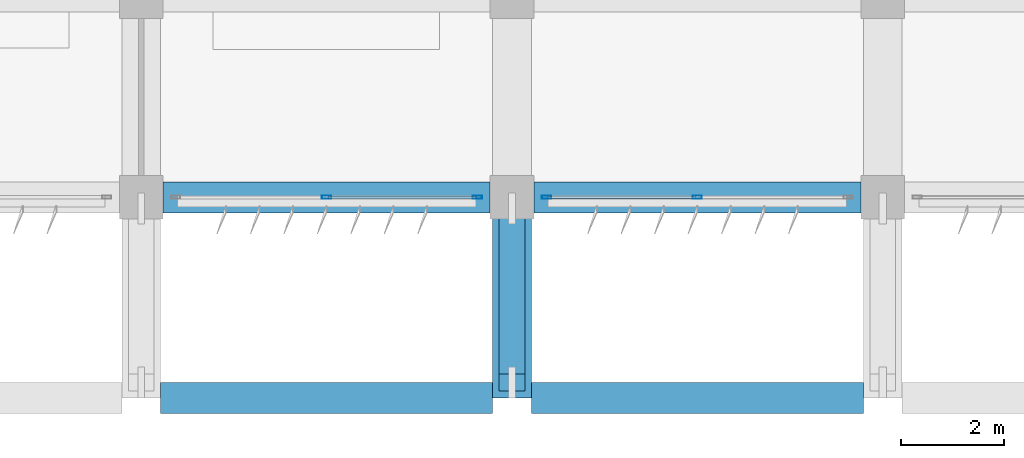
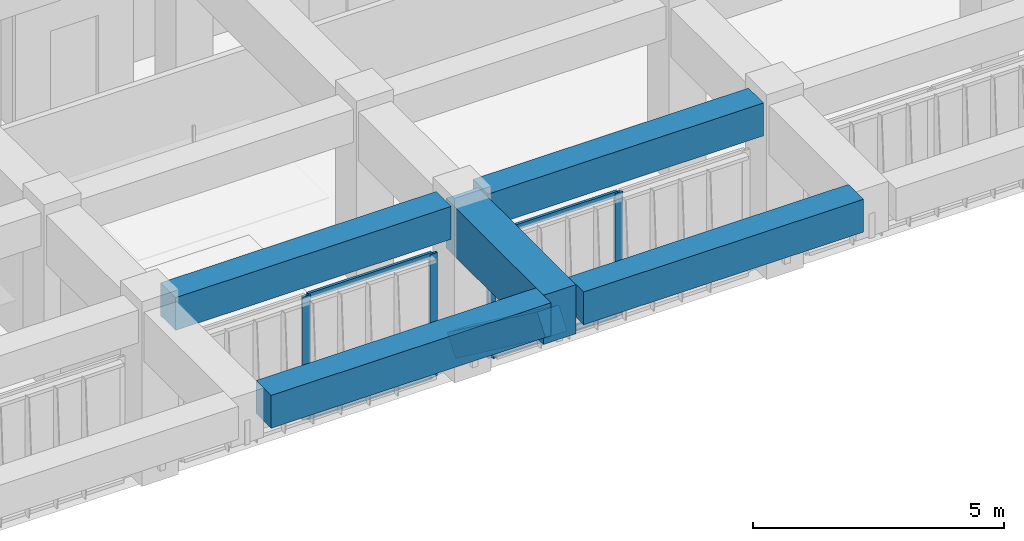
# One storey, part 17 of 56: 9 members, 5 beams, 2 elements without a shape of their own.
"""IFC4 building model written with IfcOpenShell, lengths in metres."""

from ifc_helpers import new_model, si_unit, direction, frame, origin, origin_2d, place, context, subcontext, project, spatial, rectangle, hollow_rectangle, extrude, material, material_profile, profile_set, type_object, element, aggregate, save


model = new_model("IFC4")

# Units and contexts
model_context = context("Model", 3, precision=1e-05, world=origin(), true_north=direction((0.0, 1.0)))
body_context = subcontext(model_context, "Body", "Model", "MODEL_VIEW")
ifc_project = project(units=[si_unit("LENGTHUNIT", "METRE"), si_unit("AREAUNIT", "SQUARE_METRE"), si_unit("VOLUMEUNIT", "CUBIC_METRE"), si_unit("PLANEANGLEUNIT", "RADIAN"), si_unit("MASSUNIT", "GRAM", prefix="KILO")], contexts=[model_context])

# Site, building, storey
site_placement = place(None, origin())
site = spatial("IfcSite", under=ifc_project, at=site_placement, CompositionType="ELEMENT")
building_placement = place(site_placement, origin())
building = spatial("IfcBuilding", under=site, at=building_placement, Name="Kazehaya Institute of Natural Sciences", CompositionType="ELEMENT")
storey_placement = place(building_placement, frame((0.0, 0.0, 24.300048828125)))
storey = spatial("IfcBuildingStorey", under=building, at=storey_placement, Name="L05", CompositionType="ELEMENT", Elevation=24.300048828125)

# Beams
ifc_material_1 = material(Name="Concrete Fc36", Category="concrete")
ifc_material_profile_1 = material_profile(ifc_material_1, rectangle(XDim=0.60009765625, YDim=0.800048828125, at=origin_2d()), Name="RC-600x800")
ifc_profile_set_1 = profile_set([ifc_material_profile_1], Name="Concrete Fc36")
beam_type_1 = type_object("IfcBeamType", Name="BM-G-600x800", PredefinedType="BEAM", material=ifc_profile_set_1)
for number, where, z_axis, x_axis, name in (
    (1, (90.97509765625, 6.199951171875, 3.829833984375), (1.0, 0.0, 0.0), (0.0, 1.0, 0.0), "L05 primary X girder BMX-L05-906-62"),
    (2, (98.175048828125, 6.199951171875, 3.829833984375), (1.0, 0.0, 0.0), (0.0, 1.0, 0.0), "L05 primary X girder BMX-L05-978-62"),
):
    element("IfcBeam", number, at=place(storey_placement, frame(where, z_axis=z_axis, x_axis=x_axis)), inside=storey, type_object=beam_type_1, Name=name, PredefinedType="BEAM", context=body_context, shape_type="SweptSolid", body=[
        extrude(rectangle(XDim=0.60009765625, YDim=0.800048828125, at=origin_2d()), origin(), (0.0, 0.0, 1.0), 6.449951171875),
    ])
beam_1_placement = place(storey_placement, frame((91.02490234375, 10.10009765625, 3.829833984375), z_axis=(1.0, 0.0, 0.0), x_axis=(0.0, 1.0, 0.0)))
element("IfcBeam", 3, at=beam_1_placement, inside=storey, type_object=beam_type_1, Name="L05 primary X girder BMX-L05-906-101", PredefinedType="BEAM", context=body_context, shape_type="SweptSolid", body=[
    extrude(rectangle(XDim=0.60009765625, YDim=0.800048828125, at=origin_2d()), origin(), (0.0, 0.0, 1.0), 6.35009765625),
])
beam_2_placement = place(storey_placement, frame((98.22509765625, 10.10009765625, 3.829833984375), z_axis=(1.0, 0.0, 0.0), x_axis=(0.0, 1.0, 0.0)))
element("IfcBeam", 4, at=beam_2_placement, inside=storey, type_object=beam_type_1, Name="L05 primary X girder BMX-L05-978-101", PredefinedType="BEAM", context=body_context, shape_type="SweptSolid", body=[
    extrude(rectangle(XDim=0.60009765625, YDim=0.800048828125, at=origin_2d()), origin(), (0.0, 0.0, 1.0), 6.349853515625),
])
ifc_material_2 = material(Name="Concrete Fc42", Category="concrete")
ifc_material_profile_2 = material_profile(ifc_material_2, rectangle(XDim=0.75, YDim=1.199951171875, at=origin_2d()), Name="RC-750x1200")
ifc_profile_set_2 = profile_set([ifc_material_profile_2], Name="Concrete Fc42")
beam_type_2 = type_object("IfcBeamType", Name="BM-TG-750x1200", PredefinedType="BEAM", material=ifc_profile_set_2)
beam_3_placement = place(storey_placement, frame((97.800048828125, 6.199951171875, 3.6298828125), z_axis=(0.0, 1.0, 0.0), x_axis=(-1.0, 0.0, 0.0)))
element("IfcBeam", 5, at=beam_3_placement, inside=storey, type_object=beam_type_2, Name="L05 cantilever transfer girder 1744", PredefinedType="BEAM", context=body_context, shape_type="SweptSolid", body=[
    extrude(rectangle(XDim=0.75, YDim=1.199951171875, at=origin_2d()), origin(), (0.0, 0.0, 1.0), 3.900146484375),
])

# Curtain wall, members
ifc_material_3 = material(Name="Aluminium alloy A6063S-T5", Category="aluminium")
curtain_wall_type = type_object("IfcCurtainWallType", Name="CW-SYS-04", PredefinedType="NOTDEFINED", material=ifc_material_3)
curtain_wall_1_placement = place(storey_placement, origin())
curtain_wall_1 = element("IfcCurtainWall", 6, at=curtain_wall_1_placement, inside=storey, type_object=curtain_wall_type, Name="L05 unitised curtain wall CW-L05-096", PredefinedType="NOTDEFINED")
ifc_material_profile_3 = material_profile(ifc_material_3, hollow_rectangle(XDim=0.06005859375, YDim=0.179931640625, WallThickness=0.00390625, at=origin_2d()), Name="ALU-60x180x4")
ifc_profile_set_3 = profile_set([ifc_material_profile_3], Name="Aluminium alloy A6063S-T5")
member_type_1 = type_object("IfcMemberType", Name="CWM-180", PredefinedType="MULLION", material=ifc_profile_set_3)
member_1_placement = place(storey_placement, frame((101.39990234375, 10.10009765625, 0.0), z_axis=(0.0, 0.0, 1.0), x_axis=(0.0, -1.0, 0.0)))
member_1 = element("IfcMember", 7, at=member_1_placement, type_object=member_type_1, Name="CW04 mullion 2", PredefinedType="MULLION", context=body_context, shape_type="SweptSolid", body=[
    extrude(hollow_rectangle(XDim=0.06005859375, YDim=0.179931640625, WallThickness=0.00390625, at=origin_2d()), origin(), (0.0, 0.0, 1.0), 3.0),
])
member_2_placement = place(storey_placement, frame((98.469970703125, 10.10009765625, 0.0), z_axis=(0.0, 0.0, 1.0), x_axis=(0.0, -1.0, 0.0)))
member_2 = element("IfcMember", 8, at=member_2_placement, type_object=member_type_1, Name="CW04 mullion 3", PredefinedType="MULLION", context=body_context, shape_type="SweptSolid", body=[
    extrude(hollow_rectangle(XDim=0.06005859375, YDim=0.179931640625, WallThickness=0.00390625, at=origin_2d()), origin(), (0.0, 0.0, 1.0), 3.0),
])

curtain_wall_2_placement = place(storey_placement, origin())
curtain_wall_2 = element("IfcCurtainWall", 9, at=curtain_wall_2_placement, inside=storey, type_object=curtain_wall_type, Name="L05 unitised curtain wall CW-L05-097", PredefinedType="NOTDEFINED")
member_3_placement = place(storey_placement, frame((97.1298828125, 10.10009765625, 0.0), z_axis=(0.0, 0.0, 1.0), x_axis=(0.0, -1.0, 0.0)))
member_3 = element("IfcMember", 10, at=member_3_placement, type_object=member_type_1, Name="CW04 mullion 1", PredefinedType="MULLION", context=body_context, shape_type="SweptSolid", body=[
    extrude(hollow_rectangle(XDim=0.06005859375, YDim=0.179931640625, WallThickness=0.00390625, at=origin_2d()), origin(), (0.0, 0.0, 1.0), 3.0),
])
member_4_placement = place(storey_placement, frame((94.199951171875, 10.10009765625, 0.0), z_axis=(0.0, 0.0, 1.0), x_axis=(0.0, -1.0, 0.0)))
member_4 = element("IfcMember", 11, at=member_4_placement, type_object=member_type_1, Name="CW04 mullion 2", PredefinedType="MULLION", context=body_context, shape_type="SweptSolid", body=[
    extrude(hollow_rectangle(XDim=0.06005859375, YDim=0.179931640625, WallThickness=0.00390625, at=origin_2d()), origin(), (0.0, 0.0, 1.0), 3.0),
])

# Member
ifc_material_profile_4 = material_profile(ifc_material_3, hollow_rectangle(XDim=0.06005859375, YDim=0.139892578125, WallThickness=0.00341796875, at=origin_2d()), Name="ALU-60x140x3.5")
ifc_profile_set_4 = profile_set([ifc_material_profile_4], Name="Aluminium alloy A6063S-T5")
member_type_2 = type_object("IfcMemberType", Name="CWT-140", PredefinedType="USERDEFINED", material=ifc_profile_set_4)
member_5_placement = place(storey_placement, frame((101.3701171875, 10.10009765625, 0.030029296875), z_axis=(-1.0, 0.0, 0.0), x_axis=(0.0, -1.0, 0.0)))
member_5 = element("IfcMember", 12, at=member_5_placement, type_object=member_type_2, Name="CW04 transom 2.1", ObjectType="TRANSOM", PredefinedType="USERDEFINED", context=body_context, shape_type="SweptSolid", body=[
    extrude(hollow_rectangle(XDim=0.06005859375, YDim=0.139892578125, WallThickness=0.00341796875, at=origin_2d()), origin(), (0.0, 0.0, 1.0), 2.8701171875),
])

member_6_placement = place(storey_placement, frame((101.3701171875, 10.10009765625, 2.969970703125), z_axis=(-1.0, 0.0, 0.0), x_axis=(0.0, -1.0, 0.0)))
member_6 = element("IfcMember", 13, at=member_6_placement, type_object=member_type_2, Name="CW04 transom 2.2", ObjectType="TRANSOM", PredefinedType="USERDEFINED", context=body_context, shape_type="SweptSolid", body=[
    extrude(hollow_rectangle(XDim=0.06005859375, YDim=0.139892578125, WallThickness=0.00341796875, at=origin_2d()), origin(), (0.0, 0.0, 1.0), 2.8701171875),
])

aggregate(curtain_wall_1, [member_1, member_2, member_5, member_6])

member_7_placement = place(storey_placement, frame((97.10009765625, 10.10009765625, 0.030029296875), z_axis=(-1.0, 0.0, 0.0), x_axis=(0.0, -1.0, 0.0)))
member_7 = element("IfcMember", 14, at=member_7_placement, type_object=member_type_2, Name="CW04 transom 1.1", ObjectType="TRANSOM", PredefinedType="USERDEFINED", context=body_context, shape_type="SweptSolid", body=[
    extrude(hollow_rectangle(XDim=0.06005859375, YDim=0.139892578125, WallThickness=0.00341796875, at=origin_2d()), origin(), (0.0, 0.0, 1.0), 2.8701171875),
])

member_8_placement = place(storey_placement, frame((97.10009765625, 10.10009765625, 2.969970703125), z_axis=(-1.0, 0.0, 0.0), x_axis=(0.0, -1.0, 0.0)))
member_8 = element("IfcMember", 15, at=member_8_placement, type_object=member_type_2, Name="CW04 transom 1.2", ObjectType="TRANSOM", PredefinedType="USERDEFINED", context=body_context, shape_type="SweptSolid", body=[
    extrude(hollow_rectangle(XDim=0.06005859375, YDim=0.139892578125, WallThickness=0.00341796875, at=origin_2d()), origin(), (0.0, 0.0, 1.0), 2.8701171875),
])

aggregate(curtain_wall_2, [member_3, member_4, member_7, member_8])

ifc_material_profile_5 = material_profile(ifc_material_2, rectangle(XDim=0.5, YDim=0.550048828125, at=origin_2d()), Name="RC-500x550")
ifc_profile_set_5 = profile_set([ifc_material_profile_5], Name="Concrete Fc42")
member_type_3 = type_object("IfcMemberType", Name="MEM-STRUT-RC500", PredefinedType="BRACE", material=ifc_profile_set_5)
member_9_placement = place(storey_placement, frame((97.800048828125, 10.10009765625, 0.599853515625), z_axis=(0.0, -0.802122938841, 0.597158932768), x_axis=(1.0, 0.0, 0.0)))
element("IfcMember", 16, at=member_9_placement, inside=storey, type_object=member_type_3, Name="L05 raked cantilever strut 017", PredefinedType="BRACE", context=body_context, shape_type="SweptSolid", body=[
    extrude(rectangle(XDim=0.5, YDim=0.550048828125, at=origin_2d()), origin(), (0.0, 0.0, 1.0), 4.48828125),
])

save(model, "model.ifc")
